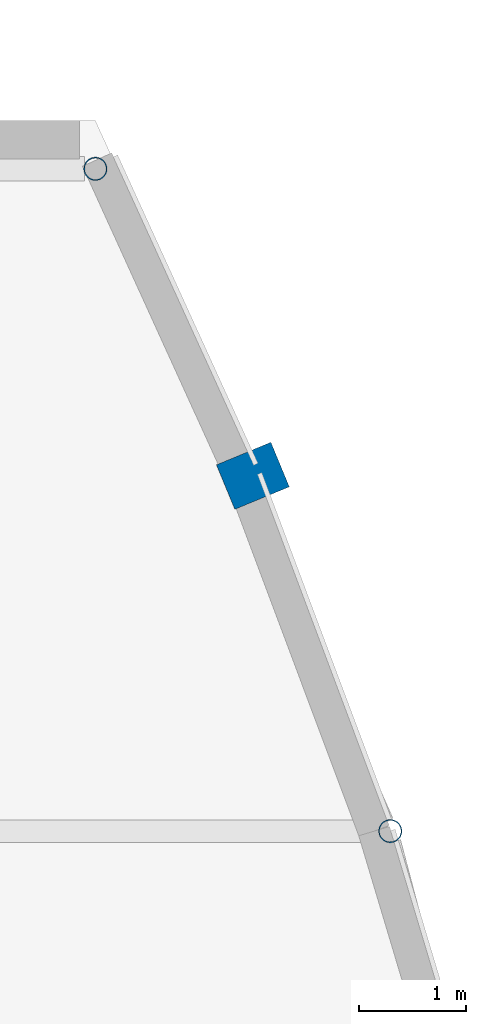
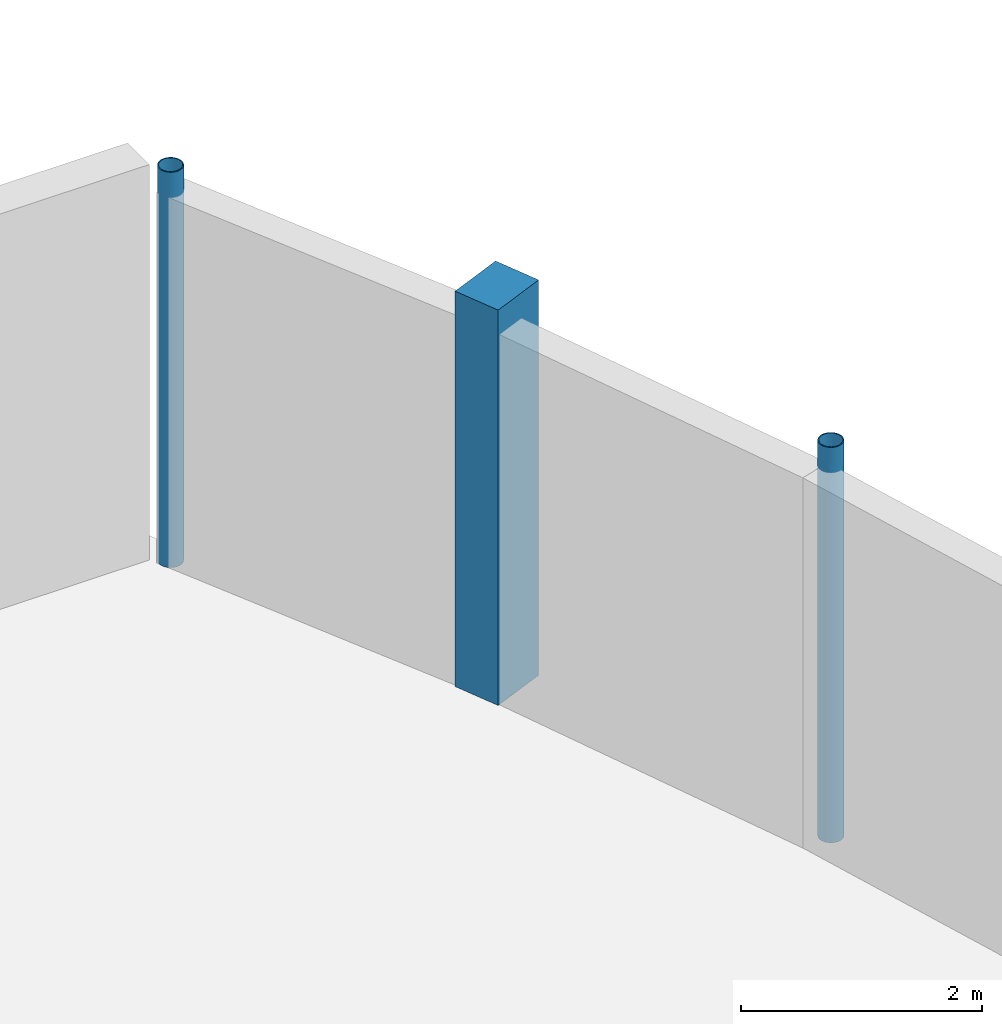
# One storey, part 16 of 105: 3 columns.
"""IFC4 building model written with IfcOpenShell, lengths in metres."""

import ifcopenshell
import ifcopenshell.guid

model = None  # the IFC model being written
_history = None  # IfcOwnerHistory: only IFC2X3 demands one
_inside = {}  # id of a spatial element -> (the spatial element, [elements in it])
_under = {}  # id of a project, library or spatial element -> (it, [spatial elements below it])
_declared = {}  # id of a project -> (the project, [libraries it declares])
_typed = {}  # id of a type object -> (the type object, [elements of that type])
_made_of = {}  # id of a material, layer set ... -> (it, [elements and type objects made of it])


def new_model(schema):
    """Start an empty IFC model of exactly this schema.

    Asked for "IFC4X3", IfcOpenShell would pick the latest addendum, in which some entities
    have other attributes; the version numbers below select the first issue.
    IFC2X3 requires an IfcOwnerHistory on every rooted entity: one is made here for all.
    """
    global model, _history
    if schema == "IFC4X3":
        model = ifcopenshell.file(schema_version=(4, 3, 0, 0))
    else:
        model = ifcopenshell.file(schema=schema)
    _inside.clear()
    _under.clear()
    _declared.clear()
    _typed.clear()
    _made_of.clear()
    _history = None
    if model.schema == "IFC2X3":
        org = make("IfcOrganization", Name="unknown")
        user = make(
            "IfcPersonAndOrganization",
            ThePerson=make("IfcPerson", FamilyName="unknown"),
            TheOrganization=org,
        )
        app = make(
            "IfcApplication",
            ApplicationDeveloper=org,
            Version="unknown",
            ApplicationFullName="unknown",
            ApplicationIdentifier="unknown",
        )
        _history = make(
            "IfcOwnerHistory",
            OwningUser=user,
            OwningApplication=app,
            ChangeAction="ADDED",
            CreationDate=0,
        )
    return model


def make(cls, **values):
    """One entity of the class cls with the attributes given. An attribute that is None is left unset."""
    return model.create_entity(
        cls, **{name: value for name, value in values.items() if value is not None}
    )


def rooted(cls, **values):
    """An entity with a GlobalId (a new one), such as an element, a storey or a relation."""
    return make(cls, GlobalId=ifcopenshell.guid.new(), OwnerHistory=_history, **values)


def si_unit(unit_type, name, prefix=None):
    """IfcSIUnit, for example si_unit("LENGTHUNIT", "METRE", prefix="MILLI")."""
    return make("IfcSIUnit", UnitType=unit_type, Prefix=prefix, Name=name)


def assignment(units):
    """IfcUnitAssignment: the units of a project."""
    return None if units is None else make("IfcUnitAssignment", Units=units)


def point(xyz):
    """IfcCartesianPoint."""
    return None if xyz is None else make("IfcCartesianPoint", Coordinates=xyz)


def direction(xyz):
    """IfcDirection."""
    return None if xyz is None else make("IfcDirection", DirectionRatios=xyz)


def frame(location, z_axis=None, x_axis=None):
    """IfcAxis2Placement3D, a coordinate frame: its origin and axes. An axis left out is left unset."""
    return make(
        "IfcAxis2Placement3D",
        Location=point(location),
        Axis=direction(z_axis),
        RefDirection=direction(x_axis),
    )


def frame_2d(location, x_axis=None):
    """IfcAxis2Placement2D, a coordinate frame in the plane: its origin and x axis."""
    return make(
        "IfcAxis2Placement2D", Location=point(location), RefDirection=direction(x_axis)
    )


def origin():
    """The frame at (0, 0, 0) with its axes left unset."""
    return frame((0.0, 0.0, 0.0))


def origin_2d():
    """The frame at (0, 0) in the plane with its x axis left unset."""
    return frame_2d((0.0, 0.0))


def place(relative_to, where):
    """IfcLocalPlacement: puts the frame where relative to a parent placement (None: the world)."""
    return make(
        "IfcLocalPlacement", PlacementRelTo=relative_to, RelativePlacement=where
    )


def context(
    kind, dimensions, precision=None, world=None, true_north=None, identifier=None
):
    """IfcGeometricRepresentationContext, for example the 3D "Model" context."""
    return make(
        "IfcGeometricRepresentationContext",
        ContextIdentifier=identifier,
        ContextType=kind,
        CoordinateSpaceDimension=dimensions,
        Precision=precision,
        WorldCoordinateSystem=world,
        TrueNorth=true_north,
    )


def subcontext(parent, identifier, kind, view, scale=None):
    """IfcGeometricRepresentationSubContext, for example "Body" below "Model"."""
    return make(
        "IfcGeometricRepresentationSubContext",
        ContextIdentifier=identifier,
        ContextType=kind,
        ParentContext=parent,
        TargetScale=scale,
        TargetView=view,
    )


def project(units=None, contexts=None):
    """IfcProject with its units and contexts."""
    return rooted(
        "IfcProject",
        Name="project",
        RepresentationContexts=contexts,
        UnitsInContext=assignment(units),
    )


def spatial(cls, under=None, at=None, **own):
    """A site, building, storey or space (cls), placed at a placement, below another one or the project."""
    s = rooted(cls, ObjectPlacement=at, **own)
    if under is not None:
        _under.setdefault(under.id(), (under, []))[1].append(s)
    return s


def profile(cls, at=None, kind="AREA", **sizes):
    """A parametric profile (cls). Its sizes go by their IFC names, for example OverallWidth=200.0."""
    return make(cls, ProfileType=kind, Position=at, **sizes)


def rectangle(**sizes):
    """IfcRectangleProfileDef."""
    return profile("IfcRectangleProfileDef", **sizes)


def hollow_circle(**sizes):
    """IfcCircleHollowProfileDef."""
    return profile("IfcCircleHollowProfileDef", **sizes)


def extrude(swept, where, along, depth):
    """IfcExtrudedAreaSolid: the profile swept, set in the frame where, extruded along a direction by depth."""
    return make(
        "IfcExtrudedAreaSolid",
        SweptArea=swept,
        Position=where,
        ExtrudedDirection=direction(along),
        Depth=depth,
    )


def shape(context_of_items, identifier, shape_type, items):
    """IfcShapeRepresentation: the items that make up one representation, for example the "Body"."""
    return make(
        "IfcShapeRepresentation",
        ContextOfItems=context_of_items,
        RepresentationIdentifier=identifier,
        RepresentationType=shape_type,
        Items=items,
    )


def material(Name=None, Category=None):
    """IfcMaterial."""
    return make("IfcMaterial", Name=Name, Category=Category)


def material_profile(
    of_material, cross_section, Name=None, Category=None, Priority=None
):
    """IfcMaterialProfile: a cross section and its material."""
    return make(
        "IfcMaterialProfile",
        Name=Name,
        Material=of_material,
        Profile=cross_section,
        Priority=Priority,
        Category=Category,
    )


def profile_set(profiles, Name=None, composite=None):
    """IfcMaterialProfileSet."""
    return make(
        "IfcMaterialProfileSet",
        Name=Name,
        MaterialProfiles=profiles,
        CompositeProfile=composite,
    )


def made_of(thing, what):
    """Note that an element or type object is made of a material, layer set ...; save() writes the relation."""
    if what is not None:
        _made_of.setdefault(what.id(), (what, []))[1].append(thing)
    return thing


def type_object(cls, material=None, **own):
    """A type object (cls), such as IfcWallType, which elements share."""
    return made_of(rooted(cls, **own), material)


def element(
    cls,
    number,
    at=None,
    inside=None,
    cuts=None,
    type_object=None,
    material=None,
    context=None,
    identifier="Body",
    shape_type=None,
    held_by="IfcProductDefinitionShape",
    body=None,
    shapes=None,
    **own,
):
    """One element of the class cls, such as IfcWall. Its Tag is "e" and its number.

    at: its placement. inside: the storey or other place that contains it. cuts: it is an
    opening in that element (IfcRelVoidsElement). A single representation is given by context,
    identifier, shape_type and body (its items); several are given by shapes. held_by: the class
    of the entity that holds the representations. save() writes the other relations.
    """
    e = rooted(cls, Tag="e%d" % number, ObjectPlacement=at, **own)
    if body is not None:
        shapes = [shape(context, identifier, shape_type, body)]
    if shapes is not None:
        e.Representation = make(held_by, Representations=shapes)
    if inside is not None:
        _inside.setdefault(inside.id(), (inside, []))[1].append(e)
    if cuts is not None:
        rooted(
            "IfcRelVoidsElement", RelatingBuildingElement=cuts, RelatedOpeningElement=e
        )
    if type_object is not None:
        _typed.setdefault(type_object.id(), (type_object, []))[1].append(e)
    return made_of(e, material)


def aggregate(whole, parts):
    """IfcRelAggregates: a whole, such as a stair, and the parts it consists of."""
    return rooted("IfcRelAggregates", RelatingObject=whole, RelatedObjects=parts)


def save(model, path):
    """Write the relations noted so far, then the file.

    IfcRelAggregates (storeys below a building ...), IfcRelContainedInSpatialStructure (elements
    in a storey), IfcRelDefinesByType, IfcRelAssociatesMaterial and IfcRelDeclares: one each for
    every whole, place, type object, material and project.
    """
    for whole, parts in _under.values():
        aggregate(whole, parts)
    for where, things in _inside.values():
        rooted(
            "IfcRelContainedInSpatialStructure",
            RelatedElements=things,
            RelatingStructure=where,
        )
    for kind, things in _typed.values():
        rooted("IfcRelDefinesByType", RelatedObjects=things, RelatingType=kind)
    for what, things in _made_of.values():
        rooted("IfcRelAssociatesMaterial", RelatedObjects=things, RelatingMaterial=what)
    for by, libraries in _declared.values():
        rooted("IfcRelDeclares", RelatingContext=by, RelatedDefinitions=libraries)
    model.write(path)


model = new_model("IFC4")

# Units and contexts
model_context = context("Model", 3, precision=1e-05, world=origin(), true_north=direction((0.0, 1.0)))
body_context = subcontext(model_context, "Body", "Model", "MODEL_VIEW")
ifc_project = project(units=[si_unit("LENGTHUNIT", "METRE"), si_unit("AREAUNIT", "SQUARE_METRE"), si_unit("VOLUMEUNIT", "CUBIC_METRE"), si_unit("PLANEANGLEUNIT", "RADIAN"), si_unit("MASSUNIT", "GRAM", prefix="KILO")], contexts=[model_context])

# Site, building, storey
site_placement = place(None, origin())
site = spatial("IfcSite", under=ifc_project, at=site_placement, CompositionType="ELEMENT")
building_placement = place(site_placement, origin())
building = spatial("IfcBuilding", under=site, at=building_placement, Name="Kelanivale Promenade Academy", CompositionType="ELEMENT")
storey_placement = place(building_placement, frame((0.0, 0.0, 4.199951171875)))
storey = spatial("IfcBuildingStorey", under=building, at=storey_placement, Name="L01", CompositionType="ELEMENT", Elevation=4.199951171875)

# Columns
ifc_material_1 = material(Name="Concrete C40/50", Category="concrete")
ifc_material_profile_1 = material_profile(ifc_material_1, rectangle(XDim=0.449951171875, YDim=0.550048828125, at=origin_2d()), Name="RC-PIL 450x550")
ifc_profile_set_1 = profile_set([ifc_material_profile_1], Name="Concrete C40/50")
column_type_1 = type_object("IfcColumnType", Name="PL-17 RC-PIL 450x550", PredefinedType="PILASTER", material=ifc_profile_set_1)
column_placement = place(storey_placement, frame((152.406982421875, 76.0859375, 0.0), z_axis=(0.0, 0.0, 1.0), x_axis=(-0.382360914263, 0.92401305794, 0.0)))
element("IfcColumn", 1, at=column_placement, inside=storey, type_object=column_type_1, Name="Column PL-17 at (152.4, 76.1) L01", PredefinedType="PILASTER", context=body_context, shape_type="SweptSolid", body=[
    extrude(rectangle(XDim=0.449951171875, YDim=0.550048828125, at=origin_2d()), origin(), (0.0, 0.0, 1.0), 4.0),
])
ifc_material_2 = material(Name="Steel S355", Category="steel")
ifc_material_profile_2 = material_profile(ifc_material_2, hollow_circle(Radius=0.109619140625, WallThickness=0.010009765625, at=origin_2d()), Name="CHS 219.1x10.0")
ifc_profile_set_2 = profile_set([ifc_material_profile_2], Name="Steel S355")
column_type_2 = type_object("IfcColumnType", Name="SC-06 CHS 219.1x10.0", PredefinedType="PILASTER", material=ifc_profile_set_2)
for number, where, z_axis, x_axis, name in (
    (2, (150.93798828125, 78.949951171875, 0.0), (0.0, 0.0, 1.0), (-0.44619781311, 0.894934361602, 0.0), "Column SC-06 at (150.9, 79.0) L01"),
    (3, (153.68896484375, 72.77099609375, 0.0), (0.0, 0.0, 1.0), (-0.318628456287, 0.947879690069, 0.0), "Column SC-06 at (153.7, 72.8) L01"),
):
    element("IfcColumn", number, at=place(storey_placement, frame(where, z_axis=z_axis, x_axis=x_axis)), inside=storey, type_object=column_type_2, Name=name, PredefinedType="PILASTER", context=body_context, shape_type="SweptSolid", body=[
        extrude(hollow_circle(Radius=0.109619140625, WallThickness=0.010009765625, at=origin_2d()), origin(), (0.0, 0.0, 1.0), 4.0),
    ])

save(model, "model.ifc")
